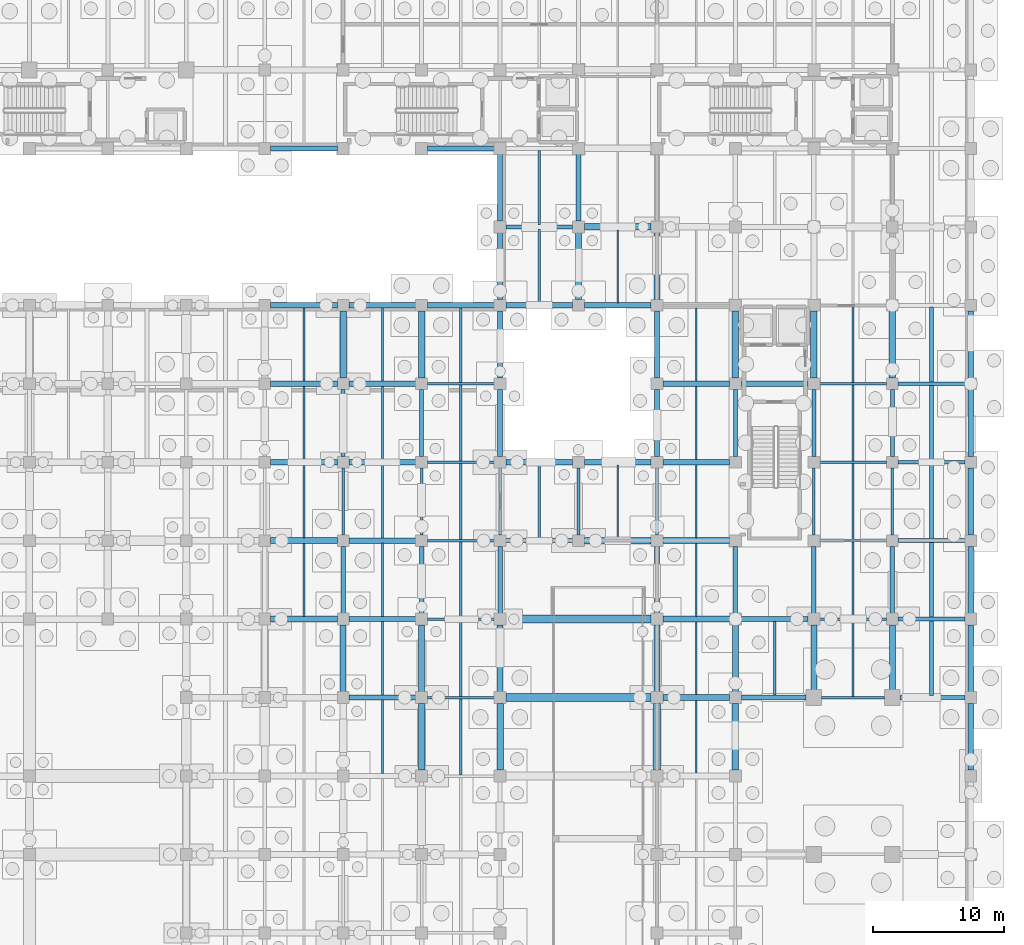
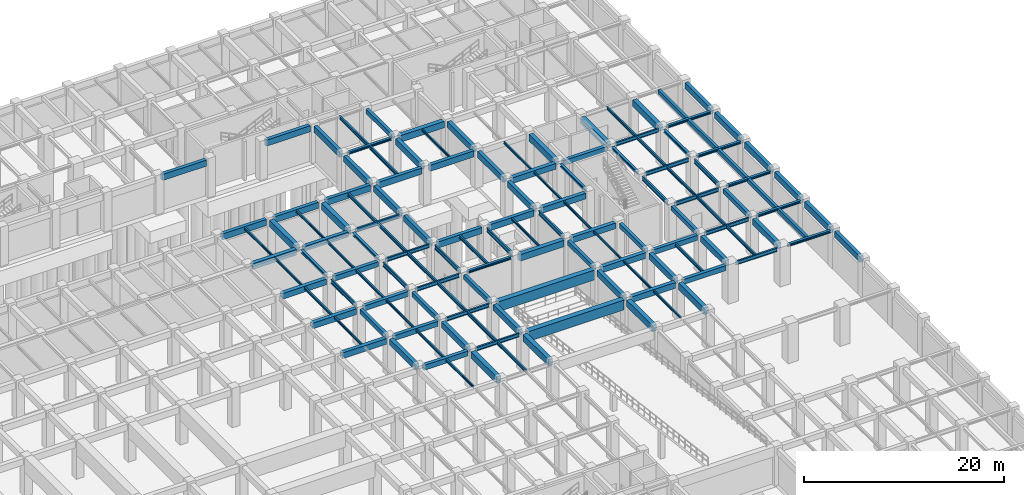
# One storey, part 35 of 54: 135 beams.
"""IFC4 building model written with IfcOpenShell, lengths in metres."""

from ifc_helpers import new_model, si_unit, direction, frame, origin, origin_2d, place, context, subcontext, project, spatial, rectangle, i_section, extrude, material, material_profile, profile_set, type_object, element, save


model = new_model("IFC4")

# Units and contexts
model_context = context("Model", 3, precision=1e-05, world=origin(), true_north=direction((0.0, 1.0)))
body_context = subcontext(model_context, "Body", "Model", "MODEL_VIEW")
ifc_project = project(units=[si_unit("LENGTHUNIT", "METRE"), si_unit("AREAUNIT", "SQUARE_METRE"), si_unit("VOLUMEUNIT", "CUBIC_METRE"), si_unit("PLANEANGLEUNIT", "RADIAN"), si_unit("MASSUNIT", "GRAM", prefix="KILO"), si_unit("THERMODYNAMICTEMPERATUREUNIT", "KELVIN"), si_unit("POWERUNIT", "WATT")], contexts=[model_context])

# Site, building, storey
site_placement = place(None, origin())
site = spatial("IfcSite", under=ifc_project, at=site_placement, CompositionType="ELEMENT")
building_placement = place(site_placement, origin())
building = spatial("IfcBuilding", under=site, at=building_placement, Name="Phaisarnlok Congress Hotel", CompositionType="ELEMENT")
storey_placement = place(building_placement, frame((0.0, 0.0, -4.800048828125)))
storey = spatial("IfcBuildingStorey", under=building, at=storey_placement, Name="B01", CompositionType="ELEMENT", Elevation=-4.800048828125)

# Beams
ifc_material_1 = material(Name="Concrete C40/50", Category="concrete")
ifc_material_profile_1 = material_profile(ifc_material_1, rectangle(XDim=0.35009765625, YDim=0.550048828125, at=origin_2d()), Name="RC 350x550")
ifc_profile_set_1 = profile_set([ifc_material_profile_1], Name="Concrete C40/50")
beam_type_1 = type_object("IfcBeamType", Name="BM-RC-350x550", PredefinedType="BEAM", material=ifc_profile_set_1)
for number, where, z_axis, x_axis, name in (
    (1, (132.0, 72.445068359375, 4.22509765625), (0.0, 1.0, 0.0), (-1.0, 0.0, 0.0), "Beam B-01"),
    (2, (138.0, 72.445068359375, 4.22509765625), (0.0, 1.0, 0.0), (-1.0, 0.0, 0.0), "Beam B-01"),
    (3, (144.0, 72.445068359375, 4.22509765625), (0.0, 1.0, 0.0), (-1.0, 0.0, 0.0), "Beam B-01"),
    (4, (150.0, 102.445068359375, 4.22509765625), (0.0, 1.0, 0.0), (-1.0, 0.0, 0.0), "Beam B-01"),
    (5, (156.0, 72.445068359375, 4.22509765625), (0.0, 1.0, 0.0), (-1.0, 0.0, 0.0), "Beam B-01"),
    (6, (162.0, 72.445068359375, 4.22509765625), (0.0, 1.0, 0.0), (-1.0, 0.0, 0.0), "Beam B-01"),
    (7, (168.0, 72.445068359375, 4.22509765625), (0.0, 1.0, 0.0), (-1.0, 0.0, 0.0), "Beam B-01"),
    (8, (174.0, 72.445068359375, 4.22509765625), (0.0, 1.0, 0.0), (-1.0, 0.0, 0.0), "Beam B-01"),
):
    element("IfcBeam", number, at=place(storey_placement, frame(where, z_axis=z_axis, x_axis=x_axis)), inside=storey, type_object=beam_type_1, Name=name, PredefinedType="BEAM", context=body_context, shape_type="SweptSolid", body=[
        extrude(rectangle(XDim=0.35009765625, YDim=0.550048828125, at=origin_2d()), origin(), (0.0, 0.0, 1.0), 5.10986328125),
    ])
ifc_material_profile_2 = material_profile(ifc_material_1, rectangle(XDim=0.39990234375, YDim=0.60009765625, at=origin_2d()), Name="RC 400x600")
ifc_profile_set_2 = profile_set([ifc_material_profile_2], Name="Concrete C40/50")
beam_type_2 = type_object("IfcBeamType", Name="BM-RC-400x600", PredefinedType="BEAM", material=ifc_profile_set_2)
for number, where, z_axis, x_axis, name in (
    (9, (132.445068359375, 66.0, 4.199951171875), (1.0, 0.0, 0.0), (0.0, 1.0, 0.0), "Beam B-02"),
    (10, (132.445068359375, 72.0, 4.199951171875), (1.0, 0.0, 0.0), (0.0, 1.0, 0.0), "Beam B-02"),
    (11, (132.445068359375, 78.0, 4.199951171875), (1.0, 0.0, 0.0), (0.0, 1.0, 0.0), "Beam B-02"),
    (12, (132.445068359375, 84.0, 4.199951171875), (1.0, 0.0, 0.0), (0.0, 1.0, 0.0), "Beam B-02"),
    (13, (132.445068359375, 90.0, 4.199951171875), (1.0, 0.0, 0.0), (0.0, 1.0, 0.0), "Beam B-02"),
):
    element("IfcBeam", number, at=place(storey_placement, frame(where, z_axis=z_axis, x_axis=x_axis)), inside=storey, type_object=beam_type_2, Name=name, PredefinedType="BEAM", context=body_context, shape_type="SweptSolid", body=[
        extrude(rectangle(XDim=0.39990234375, YDim=0.60009765625, at=origin_2d()), origin(), (0.0, 0.0, 1.0), 5.10986328125),
    ])
beam_1_placement = place(storey_placement, frame((162.445068359375, 66.0, 4.199951171875), z_axis=(1.0, 0.0, 0.0), x_axis=(0.0, 1.0, 0.0)))
element("IfcBeam", 14, at=beam_1_placement, inside=storey, type_object=beam_type_2, Name="Beam B-02", PredefinedType="BEAM", context=body_context, shape_type="SweptSolid", body=[
    extrude(rectangle(XDim=0.39990234375, YDim=0.60009765625, at=origin_2d()), origin(), (0.0, 0.0, 1.0), 4.9599609375),
])
for number, where, z_axis, x_axis, name in (
    (15, (162.445068359375, 72.0, 4.199951171875), (1.0, 0.0, 0.0), (0.0, 1.0, 0.0), "Beam B-02"),
    (16, (162.445068359375, 90.0, 4.199951171875), (1.0, 0.0, 0.0), (0.0, 1.0, 0.0), "Beam B-02"),
):
    element("IfcBeam", number, at=place(storey_placement, frame(where, z_axis=z_axis, x_axis=x_axis)), inside=storey, type_object=beam_type_2, Name=name, PredefinedType="BEAM", context=body_context, shape_type="SweptSolid", body=[
        extrude(rectangle(XDim=0.39990234375, YDim=0.60009765625, at=origin_2d()), origin(), (0.0, 0.0, 1.0), 5.10986328125),
    ])
ifc_material_profile_3 = material_profile(ifc_material_1, rectangle(XDim=0.449951171875, YDim=0.699951171875, at=origin_2d()), Name="RC 450x700")
ifc_profile_set_3 = profile_set([ifc_material_profile_3], Name="Concrete C40/50")
beam_type_3 = type_object("IfcBeamType", Name="BM-RC-450x700", PredefinedType="BEAM", material=ifc_profile_set_3)
for number, where, z_axis, x_axis, name in (
    (17, (126.445068359375, 72.0, 4.150146484375), (1.0, 0.0, 0.0), (0.0, 1.0, 0.0), "Beam B-03"),
    (18, (126.445068359375, 78.0, 4.150146484375), (1.0, 0.0, 0.0), (0.0, 1.0, 0.0), "Beam B-03"),
    (19, (126.445068359375, 84.0, 4.150146484375), (1.0, 0.0, 0.0), (0.0, 1.0, 0.0), "Beam B-03"),
    (20, (126.445068359375, 90.0, 4.150146484375), (1.0, 0.0, 0.0), (0.0, 1.0, 0.0), "Beam B-03"),
    (21, (132.0, 66.445068359375, 4.150146484375), (0.0, 1.0, 0.0), (-1.0, 0.0, 0.0), "Beam B-03"),
    (22, (138.0, 66.445068359375, 4.150146484375), (0.0, 1.0, 0.0), (-1.0, 0.0, 0.0), "Beam B-03"),
    (23, (144.0, 66.445068359375, 4.150146484375), (0.0, 1.0, 0.0), (-1.0, 0.0, 0.0), "Beam B-03"),
    (24, (150.0, 96.445068359375, 4.150146484375), (0.0, 1.0, 0.0), (-1.0, 0.0, 0.0), "Beam B-03"),
    (25, (156.445068359375, 66.0, 4.150146484375), (1.0, 0.0, 0.0), (0.0, 1.0, 0.0), "Beam B-03"),
    (26, (156.0, 66.445068359375, 4.150146484375), (0.0, 1.0, 0.0), (-1.0, 0.0, 0.0), "Beam B-03"),
    (27, (156.445068359375, 72.0, 4.150146484375), (1.0, 0.0, 0.0), (0.0, 1.0, 0.0), "Beam B-03"),
    (28, (156.445068359375, 78.0, 4.150146484375), (1.0, 0.0, 0.0), (0.0, 1.0, 0.0), "Beam B-03"),
    (29, (156.445068359375, 84.0, 4.150146484375), (1.0, 0.0, 0.0), (0.0, 1.0, 0.0), "Beam B-03"),
    (30, (156.445068359375, 90.0, 4.150146484375), (1.0, 0.0, 0.0), (0.0, 1.0, 0.0), "Beam B-03"),
    (31, (156.0, 96.445068359375, 4.150146484375), (0.0, 1.0, 0.0), (-1.0, 0.0, 0.0), "Beam B-03"),
    (32, (162.0, 66.445068359375, 4.150146484375), (0.0, 1.0, 0.0), (-1.0, 0.0, 0.0), "Beam B-03"),
):
    element("IfcBeam", number, at=place(storey_placement, frame(where, z_axis=z_axis, x_axis=x_axis)), inside=storey, type_object=beam_type_3, Name=name, PredefinedType="BEAM", context=body_context, shape_type="SweptSolid", body=[
        extrude(rectangle(XDim=0.449951171875, YDim=0.699951171875, at=origin_2d()), origin(), (0.0, 0.0, 1.0), 5.10986328125),
    ])
for number, where, z_axis, x_axis, name in (
    (33, (168.0, 66.594970703125, 4.150146484375), (0.0, 1.0, 0.0), (-1.0, 0.0, 0.0), "Beam B-03"),
    (34, (174.0, 66.594970703125, 4.150146484375), (0.0, 1.0, 0.0), (-1.0, 0.0, 0.0), "Beam B-03"),
):
    element("IfcBeam", number, at=place(storey_placement, frame(where, z_axis=z_axis, x_axis=x_axis)), inside=storey, type_object=beam_type_3, Name=name, PredefinedType="BEAM", context=body_context, shape_type="SweptSolid", body=[
        extrude(rectangle(XDim=0.449951171875, YDim=0.699951171875, at=origin_2d()), origin(), (0.0, 0.0, 1.0), 4.9599609375),
    ])
ifc_material_profile_4 = material_profile(ifc_material_1, rectangle(XDim=0.5, YDim=0.800048828125, at=origin_2d()), Name="RC 500x800")
ifc_profile_set_4 = profile_set([ifc_material_profile_4], Name="Concrete C40/50")
beam_type_4 = type_object("IfcBeamType", Name="BM-RC-500x800", PredefinedType="BEAM", material=ifc_profile_set_4)
for number, where, z_axis, x_axis, name in (
    (35, (132.0, 90.445068359375, 4.10009765625), (0.0, 1.0, 0.0), (-1.0, 0.0, 0.0), "Beam B-04"),
    (36, (138.0, 60.445068359375, 4.10009765625), (0.0, 1.0, 0.0), (-1.0, 0.0, 0.0), "Beam B-04"),
    (37, (138.0, 90.445068359375, 4.10009765625), (0.0, 1.0, 0.0), (-1.0, 0.0, 0.0), "Beam B-04"),
    (38, (144.0, 60.445068359375, 4.10009765625), (0.0, 1.0, 0.0), (-1.0, 0.0, 0.0), "Beam B-04"),
    (39, (150.445068359375, 78.0, 4.10009765625), (1.0, 0.0, 0.0), (0.0, 1.0, 0.0), "Beam B-04"),
    (40, (150.445068359375, 102.0, 4.10009765625), (1.0, 0.0, 0.0), (0.0, 1.0, 0.0), "Beam B-04"),
    (41, (156.0, 60.445068359375, 4.10009765625), (0.0, 1.0, 0.0), (-1.0, 0.0, 0.0), "Beam B-04"),
    (42, (162.0, 60.445068359375, 4.10009765625), (0.0, 1.0, 0.0), (-1.0, 0.0, 0.0), "Beam B-04"),
    (43, (162.0, 90.445068359375, 4.10009765625), (0.0, 1.0, 0.0), (-1.0, 0.0, 0.0), "Beam B-04"),
    (44, (168.0, 90.445068359375, 4.10009765625), (0.0, 1.0, 0.0), (-1.0, 0.0, 0.0), "Beam B-04"),
    (45, (174.0, 90.445068359375, 4.10009765625), (0.0, 1.0, 0.0), (-1.0, 0.0, 0.0), "Beam B-04"),
):
    element("IfcBeam", number, at=place(storey_placement, frame(where, z_axis=z_axis, x_axis=x_axis)), inside=storey, type_object=beam_type_4, Name=name, PredefinedType="BEAM", context=body_context, shape_type="SweptSolid", body=[
        extrude(rectangle(XDim=0.5, YDim=0.800048828125, at=origin_2d()), origin(), (0.0, 0.0, 1.0), 5.10986328125),
    ])
ifc_material_2 = material(Name="Concrete C50/60", Category="concrete")
ifc_material_profile_5 = material_profile(ifc_material_2, rectangle(XDim=0.60009765625, YDim=1.199951171875, at=origin_2d()), Name="RC 600x1200")
ifc_profile_set_5 = profile_set([ifc_material_profile_5], Name="Concrete C50/60")
beam_type_5 = type_object("IfcBeamType", Name="BM-RC-600x1200", PredefinedType="BEAM", material=ifc_profile_set_5)
for number, where, z_axis, x_axis, name in (
    (46, (144.445068359375, 66.0, 3.900146484375), (1.0, 0.0, 0.0), (0.0, 1.0, 0.0), "Ramp bay 12m girder B-06"),
    (47, (144.445068359375, 72.0, 3.900146484375), (1.0, 0.0, 0.0), (0.0, 1.0, 0.0), "Ramp bay 12m girder B-06"),
):
    element("IfcBeam", number, at=place(storey_placement, frame(where, z_axis=z_axis, x_axis=x_axis)), inside=storey, type_object=beam_type_5, Name=name, PredefinedType="BEAM", context=body_context, shape_type="SweptSolid", body=[
        extrude(rectangle(XDim=0.60009765625, YDim=1.199951171875, at=origin_2d()), origin(), (0.0, 0.0, 1.0), 11.10986328125),
    ])
ifc_material_3 = material(Name="Steel S355", Category="steel")
ifc_material_profile_6 = material_profile(ifc_material_3, i_section(OverallWidth=0.300048828125, OverallDepth=0.2900390625, WebThickness=0.008544921875, FlangeThickness=0.013916015625, FilletRadius=0.027099609375, at=origin_2d()), Name="HEA 300")
ifc_profile_set_6 = profile_set([ifc_material_profile_6], Name="Steel S355")
beam_type_6 = type_object("IfcBeamType", Name="BM-STL-HEA300", PredefinedType="BEAM", material=ifc_profile_set_6)
for number, where, z_axis, x_axis, name in (
    (48, (144.445068359375, 78.0, 4.35498046875), (1.0, 0.0, 0.0), (0.0, 1.0, 0.0), "Beam SB-05"),
    (49, (144.445068359375, 102.0, 4.35498046875), (1.0, 0.0, 0.0), (0.0, 1.0, 0.0), "Beam SB-05"),
):
    element("IfcBeam", number, at=place(storey_placement, frame(where, z_axis=z_axis, x_axis=x_axis)), inside=storey, type_object=beam_type_6, Name=name, PredefinedType="BEAM", context=body_context, shape_type="SweptSolid", body=[
        extrude(i_section(OverallWidth=0.300048828125, OverallDepth=0.2900390625, WebThickness=0.008544921875, FlangeThickness=0.013916015625, FilletRadius=0.027099609375, at=origin_2d()), origin(), (0.0, 0.0, 1.0), 5.10986328125),
    ])
beam_2_placement = place(storey_placement, frame((174.594970703125, 66.0, 4.35498046875), z_axis=(1.0, 0.0, 0.0), x_axis=(0.0, 1.0, 0.0)))
element("IfcBeam", 50, at=beam_2_placement, inside=storey, type_object=beam_type_6, Name="Beam SB-05", PredefinedType="BEAM", context=body_context, shape_type="SweptSolid", body=[
    extrude(i_section(OverallWidth=0.300048828125, OverallDepth=0.2900390625, WebThickness=0.008544921875, FlangeThickness=0.013916015625, FilletRadius=0.027099609375, at=origin_2d()), origin(), (0.0, 0.0, 1.0), 4.9599609375),
])
for number, where, z_axis, x_axis, name in (
    (51, (174.445068359375, 72.0, 4.35498046875), (1.0, 0.0, 0.0), (0.0, 1.0, 0.0), "Beam SB-05"),
    (52, (174.445068359375, 78.0, 4.35498046875), (1.0, 0.0, 0.0), (0.0, 1.0, 0.0), "Beam SB-05"),
    (53, (174.445068359375, 84.0, 4.35498046875), (1.0, 0.0, 0.0), (0.0, 1.0, 0.0), "Beam SB-05"),
    (54, (174.445068359375, 90.0, 4.35498046875), (1.0, 0.0, 0.0), (0.0, 1.0, 0.0), "Beam SB-05"),
):
    element("IfcBeam", number, at=place(storey_placement, frame(where, z_axis=z_axis, x_axis=x_axis)), inside=storey, type_object=beam_type_6, Name=name, PredefinedType="BEAM", context=body_context, shape_type="SweptSolid", body=[
        extrude(i_section(OverallWidth=0.300048828125, OverallDepth=0.2900390625, WebThickness=0.008544921875, FlangeThickness=0.013916015625, FilletRadius=0.027099609375, at=origin_2d()), origin(), (0.0, 0.0, 1.0), 5.10986328125),
    ])
ifc_material_profile_7 = material_profile(ifc_material_3, i_section(OverallWidth=0.300048828125, OverallDepth=0.340087890625, WebThickness=0.011962890625, FlangeThickness=0.021484375, FilletRadius=0.027099609375, at=origin_2d()), Name="HEB 340")
ifc_profile_set_7 = profile_set([ifc_material_profile_7], Name="Steel S355")
beam_type_7 = type_object("IfcBeamType", Name="BM-STL-HEB340", PredefinedType="BEAM", material=ifc_profile_set_7)
for number, where, z_axis, x_axis, name in (
    (55, (132.0, 84.445068359375, 4.330078125), (0.0, 1.0, 0.0), (-1.0, 0.0, 0.0), "Beam SB-07"),
    (56, (138.0, 84.445068359375, 4.330078125), (0.0, 1.0, 0.0), (-1.0, 0.0, 0.0), "Beam SB-07"),
    (57, (162.0, 84.445068359375, 4.330078125), (0.0, 1.0, 0.0), (-1.0, 0.0, 0.0), "Beam SB-07"),
    (58, (168.0, 84.445068359375, 4.330078125), (0.0, 1.0, 0.0), (-1.0, 0.0, 0.0), "Beam SB-07"),
    (59, (174.0, 84.445068359375, 4.330078125), (0.0, 1.0, 0.0), (-1.0, 0.0, 0.0), "Beam SB-07"),
):
    element("IfcBeam", number, at=place(storey_placement, frame(where, z_axis=z_axis, x_axis=x_axis)), inside=storey, type_object=beam_type_7, Name=name, PredefinedType="BEAM", context=body_context, shape_type="SweptSolid", body=[
        extrude(i_section(OverallWidth=0.300048828125, OverallDepth=0.340087890625, WebThickness=0.011962890625, FlangeThickness=0.021484375, FilletRadius=0.027099609375, at=origin_2d()), origin(), (0.0, 0.0, 1.0), 5.10986328125),
    ])
ifc_material_profile_8 = material_profile(ifc_material_3, i_section(OverallWidth=0.18994140625, OverallDepth=0.449951171875, WebThickness=0.009521484375, FlangeThickness=0.0146484375, FilletRadius=0.02099609375, at=origin_2d()), Name="IPE 450")
ifc_profile_set_8 = profile_set([ifc_material_profile_8], Name="Steel S355")
beam_type_8 = type_object("IfcBeamType", Name="BM-STL-IPE450", PredefinedType="BEAM", material=ifc_profile_set_8)
for number, where, z_axis, x_axis, name in (
    (60, (138.445068359375, 66.0, 4.275146484375), (1.0, 0.0, 0.0), (0.0, 1.0, 0.0), "Beam SB-01"),
    (61, (138.445068359375, 72.0, 4.275146484375), (1.0, 0.0, 0.0), (0.0, 1.0, 0.0), "Beam SB-01"),
    (62, (138.445068359375, 78.0, 4.275146484375), (1.0, 0.0, 0.0), (0.0, 1.0, 0.0), "Beam SB-01"),
    (63, (138.445068359375, 84.0, 4.275146484375), (1.0, 0.0, 0.0), (0.0, 1.0, 0.0), "Beam SB-01"),
    (64, (138.445068359375, 90.0, 4.275146484375), (1.0, 0.0, 0.0), (0.0, 1.0, 0.0), "Beam SB-01"),
):
    element("IfcBeam", number, at=place(storey_placement, frame(where, z_axis=z_axis, x_axis=x_axis)), inside=storey, type_object=beam_type_8, Name=name, PredefinedType="BEAM", context=body_context, shape_type="SweptSolid", body=[
        extrude(i_section(OverallWidth=0.18994140625, OverallDepth=0.449951171875, WebThickness=0.009521484375, FlangeThickness=0.0146484375, FilletRadius=0.02099609375, at=origin_2d()), origin(), (0.0, 0.0, 1.0), 5.10986328125),
    ])
beam_3_placement = place(storey_placement, frame((168.594970703125, 66.0, 4.275146484375), z_axis=(1.0, 0.0, 0.0), x_axis=(0.0, 1.0, 0.0)))
element("IfcBeam", 65, at=beam_3_placement, inside=storey, type_object=beam_type_8, Name="Beam SB-01", PredefinedType="BEAM", context=body_context, shape_type="SweptSolid", body=[
    extrude(i_section(OverallWidth=0.18994140625, OverallDepth=0.449951171875, WebThickness=0.009521484375, FlangeThickness=0.0146484375, FilletRadius=0.02099609375, at=origin_2d()), origin(), (0.0, 0.0, 1.0), 4.81005859375),
])
for number, where, z_axis, x_axis, name in (
    (66, (168.445068359375, 72.0, 4.275146484375), (1.0, 0.0, 0.0), (0.0, 1.0, 0.0), "Beam SB-01"),
    (67, (168.445068359375, 78.0, 4.275146484375), (1.0, 0.0, 0.0), (0.0, 1.0, 0.0), "Beam SB-01"),
    (68, (168.445068359375, 84.0, 4.275146484375), (1.0, 0.0, 0.0), (0.0, 1.0, 0.0), "Beam SB-01"),
    (69, (168.445068359375, 90.0, 4.275146484375), (1.0, 0.0, 0.0), (0.0, 1.0, 0.0), "Beam SB-01"),
):
    element("IfcBeam", number, at=place(storey_placement, frame(where, z_axis=z_axis, x_axis=x_axis)), inside=storey, type_object=beam_type_8, Name=name, PredefinedType="BEAM", context=body_context, shape_type="SweptSolid", body=[
        extrude(i_section(OverallWidth=0.18994140625, OverallDepth=0.449951171875, WebThickness=0.009521484375, FlangeThickness=0.0146484375, FilletRadius=0.02099609375, at=origin_2d()), origin(), (0.0, 0.0, 1.0), 5.10986328125),
    ])
ifc_material_profile_9 = material_profile(ifc_material_3, i_section(OverallWidth=0.199951171875, OverallDepth=0.5, WebThickness=0.01025390625, FlangeThickness=0.01611328125, FilletRadius=0.02099609375, at=origin_2d()), Name="IPE 500")
ifc_profile_set_9 = profile_set([ifc_material_profile_9], Name="Steel S355")
beam_type_9 = type_object("IfcBeamType", Name="BM-STL-IPE500", PredefinedType="BEAM", material=ifc_profile_set_9)
for number, where, z_axis, x_axis, name in (
    (70, (132.0, 78.445068359375, 4.25), (0.0, 1.0, 0.0), (-1.0, 0.0, 0.0), "Beam SB-02"),
    (71, (138.0, 78.445068359375, 4.25), (0.0, 1.0, 0.0), (-1.0, 0.0, 0.0), "Beam SB-02"),
    (72, (144.0, 78.445068359375, 4.25), (0.0, 1.0, 0.0), (-1.0, 0.0, 0.0), "Beam SB-02"),
    (73, (150.0, 78.445068359375, 4.25), (0.0, 1.0, 0.0), (-1.0, 0.0, 0.0), "Beam SB-02"),
    (74, (156.0, 78.445068359375, 4.25), (0.0, 1.0, 0.0), (-1.0, 0.0, 0.0), "Beam SB-02"),
    (75, (168.0, 78.445068359375, 4.25), (0.0, 1.0, 0.0), (-1.0, 0.0, 0.0), "Beam SB-02"),
    (76, (174.0, 78.445068359375, 4.25), (0.0, 1.0, 0.0), (-1.0, 0.0, 0.0), "Beam SB-02"),
):
    element("IfcBeam", number, at=place(storey_placement, frame(where, z_axis=z_axis, x_axis=x_axis)), inside=storey, type_object=beam_type_9, Name=name, PredefinedType="BEAM", context=body_context, shape_type="SweptSolid", body=[
        extrude(i_section(OverallWidth=0.199951171875, OverallDepth=0.5, WebThickness=0.01025390625, FlangeThickness=0.01611328125, FilletRadius=0.02099609375, at=origin_2d()), origin(), (0.0, 0.0, 1.0), 5.10986328125),
    ])
ifc_material_profile_10 = material_profile(ifc_material_1, rectangle(XDim=0.300048828125, YDim=0.5, at=origin_2d()), Name="RC 300x500")
ifc_profile_set_10 = profile_set([ifc_material_profile_10], Name="Concrete C40/50")
beam_type_10 = type_object("IfcBeamType", Name="JS-RC-300x500", PredefinedType="JOIST", material=ifc_profile_set_10)
for number, where, z_axis, x_axis, name in (
    (77, (177.0, 66.14501953125, 4.25), (0.0, 1.0, 0.0), (-1.0, 0.0, 0.0), "Secondary floor joist J-01"),
    (78, (177.0, 72.14501953125, 4.25), (0.0, 1.0, 0.0), (-1.0, 0.0, 0.0), "Secondary floor joist J-01"),
    (79, (177.0, 78.14501953125, 4.25), (0.0, 1.0, 0.0), (-1.0, 0.0, 0.0), "Secondary floor joist J-01"),
    (80, (177.0, 84.14501953125, 4.25), (0.0, 1.0, 0.0), (-1.0, 0.0, 0.0), "Secondary floor joist J-01"),
    (81, (177.0, 90.14501953125, 4.25), (0.0, 1.0, 0.0), (-1.0, 0.0, 0.0), "Secondary floor joist J-01"),
):
    element("IfcBeam", number, at=place(storey_placement, frame(where, z_axis=z_axis, x_axis=x_axis)), inside=storey, type_object=beam_type_10, Name=name, PredefinedType="JOIST", context=body_context, shape_type="SweptSolid", body=[
        extrude(rectangle(XDim=0.300048828125, YDim=0.5, at=origin_2d()), origin(), (0.0, 0.0, 1.0), 5.7099609375),
    ])
ifc_material_profile_11 = material_profile(ifc_material_3, i_section(OverallWidth=0.135009765625, OverallDepth=0.27001953125, WebThickness=0.006591796875, FlangeThickness=0.01025390625, FilletRadius=0.014892578125, at=origin_2d()), Name="IPE 270")
ifc_profile_set_11 = profile_set([ifc_material_profile_11], Name="Steel S355")
beam_type_11 = type_object("IfcBeamType", Name="JS-STL-IPE270", PredefinedType="JOIST", material=ifc_profile_set_11)
for number, where, z_axis, x_axis, name in (
    (82, (153.0, 78.2451171875, 4.364990234375), (0.0, 1.0, 0.0), (-1.0, 0.0, 0.0), "Secondary floor joist J-02"),
    (83, (153.0, 96.195068359375, 4.364990234375), (0.0, 1.0, 0.0), (-1.0, 0.0, 0.0), "Secondary floor joist J-02"),
):
    element("IfcBeam", number, at=place(storey_placement, frame(where, z_axis=z_axis, x_axis=x_axis)), inside=storey, type_object=beam_type_11, Name=name, PredefinedType="JOIST", context=body_context, shape_type="SweptSolid", body=[
        extrude(i_section(OverallWidth=0.135009765625, OverallDepth=0.27001953125, WebThickness=0.006591796875, FlangeThickness=0.01025390625, FilletRadius=0.014892578125, at=origin_2d()), origin(), (0.0, 0.0, 1.0), 5.559814453125),
    ])
for number, where, z_axis, x_axis, name in (
    (84, (159.0, 60.219970703125, 4.364990234375), (0.0, 1.0, 0.0), (-1.0, 0.0, 0.0), "Secondary floor joist J-02"),
    (85, (159.0, 66.219970703125, 4.364990234375), (0.0, 1.0, 0.0), (-1.0, 0.0, 0.0), "Secondary floor joist J-02"),
    (86, (159.0, 72.219970703125, 4.364990234375), (0.0, 1.0, 0.0), (-1.0, 0.0, 0.0), "Secondary floor joist J-02"),
    (87, (159.0, 78.219970703125, 4.364990234375), (0.0, 1.0, 0.0), (-1.0, 0.0, 0.0), "Secondary floor joist J-02"),
    (88, (159.0, 84.219970703125, 4.364990234375), (0.0, 1.0, 0.0), (-1.0, 0.0, 0.0), "Secondary floor joist J-02"),
    (89, (159.0, 90.219970703125, 4.364990234375), (0.0, 1.0, 0.0), (-1.0, 0.0, 0.0), "Secondary floor joist J-02"),
):
    element("IfcBeam", number, at=place(storey_placement, frame(where, z_axis=z_axis, x_axis=x_axis)), inside=storey, type_object=beam_type_11, Name=name, PredefinedType="JOIST", context=body_context, shape_type="SweptSolid", body=[
        extrude(i_section(OverallWidth=0.135009765625, OverallDepth=0.27001953125, WebThickness=0.006591796875, FlangeThickness=0.01025390625, FilletRadius=0.014892578125, at=origin_2d()), origin(), (0.0, 0.0, 1.0), 5.56005859375),
    ])
ifc_material_profile_12 = material_profile(ifc_material_3, i_section(OverallWidth=0.14990234375, OverallDepth=0.300048828125, WebThickness=0.007080078125, FlangeThickness=0.0107421875, FilletRadius=0.014892578125, at=origin_2d()), Name="IPE 300")
ifc_profile_set_12 = profile_set([ifc_material_profile_12], Name="Steel S355")
beam_type_12 = type_object("IfcBeamType", Name="JS-STL-IPE300", PredefinedType="JOIST", material=ifc_profile_set_12)
for number, where, z_axis, x_axis, name in (
    (90, (129.0, 72.219970703125, 4.35009765625), (0.0, 1.0, 0.0), (-1.0, 0.0, 0.0), "Secondary floor joist J-03"),
    (91, (129.0, 78.219970703125, 4.35009765625), (0.0, 1.0, 0.0), (-1.0, 0.0, 0.0), "Secondary floor joist J-03"),
    (92, (129.0, 84.219970703125, 4.35009765625), (0.0, 1.0, 0.0), (-1.0, 0.0, 0.0), "Secondary floor joist J-03"),
):
    element("IfcBeam", number, at=place(storey_placement, frame(where, z_axis=z_axis, x_axis=x_axis)), inside=storey, type_object=beam_type_12, Name=name, PredefinedType="JOIST", context=body_context, shape_type="SweptSolid", body=[
        extrude(i_section(OverallWidth=0.14990234375, OverallDepth=0.300048828125, WebThickness=0.007080078125, FlangeThickness=0.0107421875, FilletRadius=0.014892578125, at=origin_2d()), origin(), (0.0, 0.0, 1.0), 5.56005859375),
    ])
beam_4_placement = place(storey_placement, frame((129.0, 90.219970703125, 4.35009765625), z_axis=(0.0, 1.0, 0.0), x_axis=(-1.0, 0.0, 0.0)))
element("IfcBeam", 93, at=beam_4_placement, inside=storey, type_object=beam_type_12, Name="Secondary floor joist J-03", PredefinedType="JOIST", context=body_context, shape_type="SweptSolid", body=[
    extrude(i_section(OverallWidth=0.14990234375, OverallDepth=0.300048828125, WebThickness=0.007080078125, FlangeThickness=0.0107421875, FilletRadius=0.014892578125, at=origin_2d()), origin(), (0.0, 0.0, 1.0), 5.5849609375),
])
for number, where, z_axis, x_axis, name in (
    (94, (135.0, 60.195068359375, 4.35009765625), (0.0, 1.0, 0.0), (-1.0, 0.0, 0.0), "Secondary floor joist J-03"),
    (95, (135.0, 66.195068359375, 4.35009765625), (0.0, 1.0, 0.0), (-1.0, 0.0, 0.0), "Secondary floor joist J-03"),
    (96, (135.0, 72.195068359375, 4.35009765625), (0.0, 1.0, 0.0), (-1.0, 0.0, 0.0), "Secondary floor joist J-03"),
    (97, (135.0, 78.195068359375, 4.35009765625), (0.0, 1.0, 0.0), (-1.0, 0.0, 0.0), "Secondary floor joist J-03"),
    (98, (135.0, 84.195068359375, 4.35009765625), (0.0, 1.0, 0.0), (-1.0, 0.0, 0.0), "Secondary floor joist J-03"),
    (99, (135.0, 90.195068359375, 4.35009765625), (0.0, 1.0, 0.0), (-1.0, 0.0, 0.0), "Secondary floor joist J-03"),
):
    element("IfcBeam", number, at=place(storey_placement, frame(where, z_axis=z_axis, x_axis=x_axis)), inside=storey, type_object=beam_type_12, Name=name, PredefinedType="JOIST", context=body_context, shape_type="SweptSolid", body=[
        extrude(i_section(OverallWidth=0.14990234375, OverallDepth=0.300048828125, WebThickness=0.007080078125, FlangeThickness=0.0107421875, FilletRadius=0.014892578125, at=origin_2d()), origin(), (0.0, 0.0, 1.0), 5.60986328125),
    ])
ifc_material_profile_13 = material_profile(ifc_material_3, i_section(OverallWidth=0.169921875, OverallDepth=0.360107421875, WebThickness=0.008056640625, FlangeThickness=0.0126953125, FilletRadius=0.01806640625, at=origin_2d()), Name="IPE 360")
ifc_profile_set_13 = profile_set([ifc_material_profile_13], Name="Steel S355")
beam_type_13 = type_object("IfcBeamType", Name="JS-STL-IPE360", PredefinedType="JOIST", material=ifc_profile_set_13)
beam_5_placement = place(storey_placement, frame((165.0, 66.195068359375, 4.320068359375), z_axis=(0.0, 1.0, 0.0), x_axis=(-1.0, 0.0, 0.0)))
element("IfcBeam", 100, at=beam_5_placement, inside=storey, type_object=beam_type_13, Name="Secondary floor joist J-04", PredefinedType="JOIST", context=body_context, shape_type="SweptSolid", body=[
    extrude(i_section(OverallWidth=0.169921875, OverallDepth=0.360107421875, WebThickness=0.008056640625, FlangeThickness=0.0126953125, FilletRadius=0.01806640625, at=origin_2d()), origin(), (0.0, 0.0, 1.0), 5.60986328125),
])
for number, where, z_axis, x_axis, name in (
    (101, (171.0, 66.090087890625, 4.320068359375), (0.0, 1.0, 0.0), (-1.0, 0.0, 0.0), "Secondary floor joist J-04"),
    (102, (171.0, 72.090087890625, 4.320068359375), (0.0, 1.0, 0.0), (-1.0, 0.0, 0.0), "Secondary floor joist J-04"),
    (103, (171.0, 78.090087890625, 4.320068359375), (0.0, 1.0, 0.0), (-1.0, 0.0, 0.0), "Secondary floor joist J-04"),
    (104, (171.0, 84.090087890625, 4.320068359375), (0.0, 1.0, 0.0), (-1.0, 0.0, 0.0), "Secondary floor joist J-04"),
    (105, (171.0, 90.090087890625, 4.320068359375), (0.0, 1.0, 0.0), (-1.0, 0.0, 0.0), "Secondary floor joist J-04"),
):
    element("IfcBeam", number, at=place(storey_placement, frame(where, z_axis=z_axis, x_axis=x_axis)), inside=storey, type_object=beam_type_13, Name=name, PredefinedType="JOIST", context=body_context, shape_type="SweptSolid", body=[
        extrude(i_section(OverallWidth=0.169921875, OverallDepth=0.360107421875, WebThickness=0.008056640625, FlangeThickness=0.0126953125, FilletRadius=0.01806640625, at=origin_2d()), origin(), (0.0, 0.0, 1.0), 5.81982421875),
    ])
ifc_material_profile_14 = material_profile(ifc_material_3, i_section(OverallWidth=0.179931640625, OverallDepth=0.39990234375, WebThickness=0.008544921875, FlangeThickness=0.013427734375, FilletRadius=0.02099609375, at=origin_2d()), Name="IPE 400")
ifc_profile_set_14 = profile_set([ifc_material_profile_14], Name="Steel S355")
beam_type_14 = type_object("IfcBeamType", Name="JS-STL-IPE400", PredefinedType="JOIST", material=ifc_profile_set_14)
for number, where, z_axis, x_axis, name in (
    (106, (141.0, 60.090087890625, 4.300048828125), (0.0, 1.0, 0.0), (-1.0, 0.0, 0.0), "Secondary floor joist J-05"),
    (107, (141.0, 66.090087890625, 4.300048828125), (0.0, 1.0, 0.0), (-1.0, 0.0, 0.0), "Secondary floor joist J-05"),
    (108, (141.0, 72.090087890625, 4.300048828125), (0.0, 1.0, 0.0), (-1.0, 0.0, 0.0), "Secondary floor joist J-05"),
    (109, (141.0, 78.090087890625, 4.300048828125), (0.0, 1.0, 0.0), (-1.0, 0.0, 0.0), "Secondary floor joist J-05"),
    (110, (141.0, 84.090087890625, 4.300048828125), (0.0, 1.0, 0.0), (-1.0, 0.0, 0.0), "Secondary floor joist J-05"),
):
    element("IfcBeam", number, at=place(storey_placement, frame(where, z_axis=z_axis, x_axis=x_axis)), inside=storey, type_object=beam_type_14, Name=name, PredefinedType="JOIST", context=body_context, shape_type="SweptSolid", body=[
        extrude(i_section(OverallWidth=0.179931640625, OverallDepth=0.39990234375, WebThickness=0.008544921875, FlangeThickness=0.013427734375, FilletRadius=0.02099609375, at=origin_2d()), origin(), (0.0, 0.0, 1.0), 5.81982421875),
    ])
beam_6_placement = place(storey_placement, frame((141.0, 90.090087890625, 4.300048828125), z_axis=(0.0, 1.0, 0.0), x_axis=(-1.0, 0.0, 0.0)))
element("IfcBeam", 111, at=beam_6_placement, inside=storey, type_object=beam_type_14, Name="Secondary floor joist J-05", PredefinedType="JOIST", context=body_context, shape_type="SweptSolid", body=[
    extrude(i_section(OverallWidth=0.179931640625, OverallDepth=0.39990234375, WebThickness=0.008544921875, FlangeThickness=0.013427734375, FilletRadius=0.02099609375, at=origin_2d()), origin(), (0.0, 0.0, 1.0), 5.71484375),
])
for number, where, z_axis, x_axis, name in (
    (112, (147.0, 78.14501953125, 4.300048828125), (0.0, 1.0, 0.0), (-1.0, 0.0, 0.0), "Secondary floor joist J-05"),
    (113, (147.0, 96.195068359375, 4.300048828125), (0.0, 1.0, 0.0), (-1.0, 0.0, 0.0), "Secondary floor joist J-05"),
):
    element("IfcBeam", number, at=place(storey_placement, frame(where, z_axis=z_axis, x_axis=x_axis)), inside=storey, type_object=beam_type_14, Name=name, PredefinedType="JOIST", context=body_context, shape_type="SweptSolid", body=[
        extrude(i_section(OverallWidth=0.179931640625, OverallDepth=0.39990234375, WebThickness=0.008544921875, FlangeThickness=0.013427734375, FilletRadius=0.02099609375, at=origin_2d()), origin(), (0.0, 0.0, 1.0), 5.659912109375),
    ])
beam_7_placement = place(storey_placement, frame((147.0, 102.14501953125, 4.300048828125), z_axis=(0.0, 1.0, 0.0), x_axis=(-1.0, 0.0, 0.0)))
element("IfcBeam", 114, at=beam_7_placement, inside=storey, type_object=beam_type_14, Name="Secondary floor joist J-05", PredefinedType="JOIST", context=body_context, shape_type="SweptSolid", body=[
    extrude(i_section(OverallWidth=0.179931640625, OverallDepth=0.39990234375, WebThickness=0.008544921875, FlangeThickness=0.013427734375, FilletRadius=0.02099609375, at=origin_2d()), origin(), (0.0, 0.0, 1.0), 5.7099609375),
])
ifc_material_profile_15 = material_profile(ifc_material_1, rectangle(XDim=0.39990234375, YDim=0.75, at=origin_2d()), Name="RC 400x750")
ifc_profile_set_15 = profile_set([ifc_material_profile_15], Name="Concrete C40/50")
beam_type_15 = type_object("IfcBeamType", Name="SP-RC-400x750", PredefinedType="SPANDREL", material=ifc_profile_set_15)
for number, where, z_axis, x_axis, name in (
    (115, (126.445068359375, 96.0, 4.125), (1.0, 0.0, 0.0), (0.0, 1.0, 0.0), "Beam SP-02"),
    (116, (126.445068359375, 108.0, 4.125), (1.0, 0.0, 0.0), (0.0, 1.0, 0.0), "Beam SP-02"),
    (117, (132.445068359375, 96.0, 4.125), (1.0, 0.0, 0.0), (0.0, 1.0, 0.0), "Beam SP-02"),
    (118, (138.445068359375, 96.0, 4.125), (1.0, 0.0, 0.0), (0.0, 1.0, 0.0), "Beam SP-02"),
    (119, (138.445068359375, 108.0, 4.125), (1.0, 0.0, 0.0), (0.0, 1.0, 0.0), "Beam SP-02"),
    (120, (144.445068359375, 84.0, 4.125), (1.0, 0.0, 0.0), (0.0, 1.0, 0.0), "Beam SP-02"),
    (121, (144.0, 84.445068359375, 4.125), (0.0, 1.0, 0.0), (-1.0, 0.0, 0.0), "Beam SP-02"),
    (122, (144.0, 90.445068359375, 4.125), (0.0, 1.0, 0.0), (-1.0, 0.0, 0.0), "Beam SP-02"),
    (123, (144.445068359375, 96.0, 4.125), (1.0, 0.0, 0.0), (0.0, 1.0, 0.0), "Beam SP-02"),
    (124, (144.0, 96.445068359375, 4.125), (0.0, 1.0, 0.0), (-1.0, 0.0, 0.0), "Beam SP-02"),
    (125, (144.0, 102.445068359375, 4.125), (0.0, 1.0, 0.0), (-1.0, 0.0, 0.0), "Beam SP-02"),
    (126, (150.445068359375, 84.0, 4.125), (1.0, 0.0, 0.0), (0.0, 1.0, 0.0), "Beam SP-02"),
    (127, (150.445068359375, 96.0, 4.125), (1.0, 0.0, 0.0), (0.0, 1.0, 0.0), "Beam SP-02"),
    (128, (156.0, 84.445068359375, 4.125), (0.0, 1.0, 0.0), (-1.0, 0.0, 0.0), "Beam SP-02"),
    (129, (156.0, 90.445068359375, 4.125), (0.0, 1.0, 0.0), (-1.0, 0.0, 0.0), "Beam SP-02"),
    (130, (180.0, 60.445068359375, 4.125), (0.0, 1.0, 0.0), (-1.0, 0.0, 0.0), "Beam SP-02"),
    (131, (180.0, 66.445068359375, 4.125), (0.0, 1.0, 0.0), (-1.0, 0.0, 0.0), "Beam SP-02"),
    (132, (180.0, 72.445068359375, 4.125), (0.0, 1.0, 0.0), (-1.0, 0.0, 0.0), "Beam SP-02"),
    (133, (180.0, 78.445068359375, 4.125), (0.0, 1.0, 0.0), (-1.0, 0.0, 0.0), "Beam SP-02"),
    (134, (180.0, 84.445068359375, 4.125), (0.0, 1.0, 0.0), (-1.0, 0.0, 0.0), "Beam SP-02"),
    (135, (180.0, 90.445068359375, 4.125), (0.0, 1.0, 0.0), (-1.0, 0.0, 0.0), "Beam SP-02"),
):
    element("IfcBeam", number, at=place(storey_placement, frame(where, z_axis=z_axis, x_axis=x_axis)), inside=storey, type_object=beam_type_15, Name=name, PredefinedType="SPANDREL", context=body_context, shape_type="SweptSolid", body=[
        extrude(rectangle(XDim=0.39990234375, YDim=0.75, at=origin_2d()), origin(), (0.0, 0.0, 1.0), 5.10986328125),
    ])

save(model, "model.ifc")
